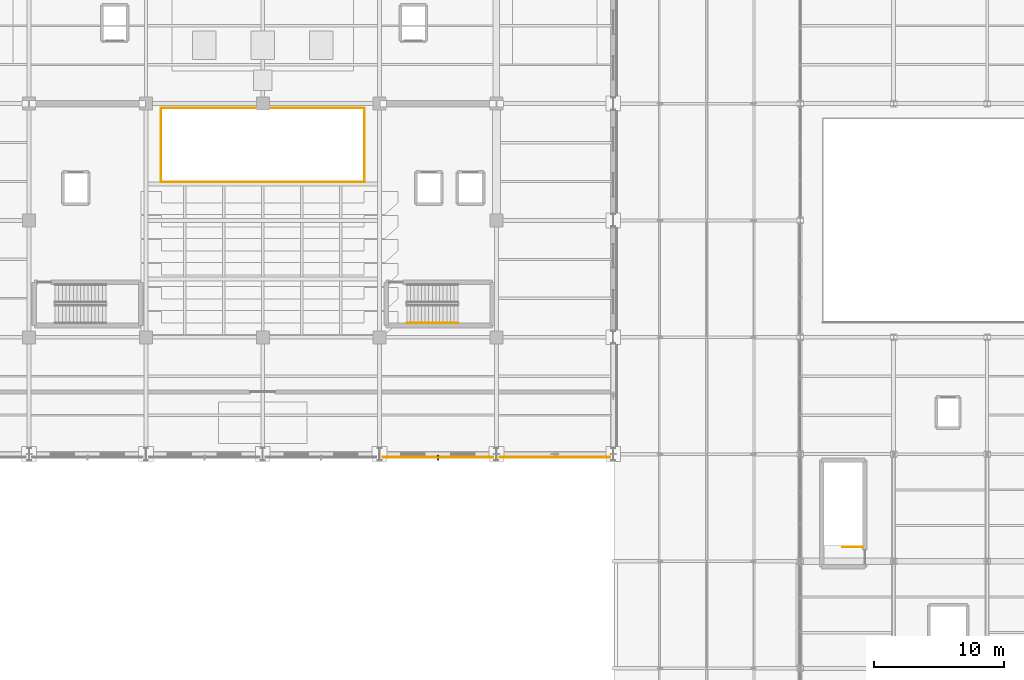
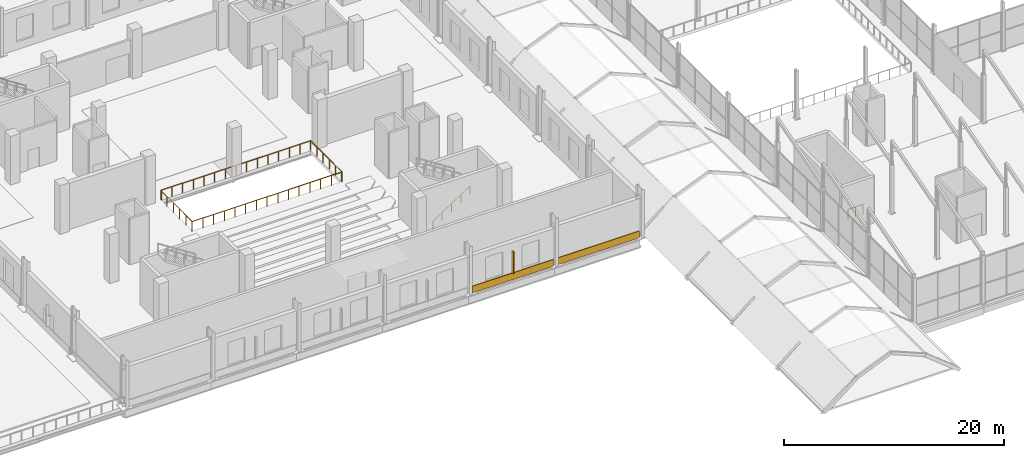
# One storey, part 131 of 141: 4 railings, 2 coverings, 1 shading device.
"""IFC4 building model written with IfcOpenShell, lengths in metres."""

from ifc_helpers import new_model, si_unit, direction, frame, origin, origin_2d, place, context, subcontext, project, spatial, rectangle, circle, extrude, material, layer, layer_set, type_object, element, save


model = new_model("IFC4")

# Units and contexts
model_context = context("Model", 3, precision=1e-05, world=origin(), true_north=direction((0.0, 1.0)))
body_context = subcontext(model_context, "Body", "Model", "MODEL_VIEW")
ifc_project = project(units=[si_unit("LENGTHUNIT", "METRE"), si_unit("AREAUNIT", "SQUARE_METRE"), si_unit("VOLUMEUNIT", "CUBIC_METRE"), si_unit("PLANEANGLEUNIT", "RADIAN"), si_unit("MASSUNIT", "GRAM", prefix="KILO")], contexts=[model_context])

# Site, building, storey
site_placement = place(None, origin())
site = spatial("IfcSite", under=ifc_project, at=site_placement, CompositionType="ELEMENT")
building_placement = place(site_placement, origin())
building = spatial("IfcBuilding", under=site, at=building_placement, Name="Sundgate Opera House", CompositionType="ELEMENT")
storey_placement = place(building_placement, frame((0.0, 0.0, 11.39990234375)))
storey = spatial("IfcBuildingStorey", under=building, at=storey_placement, Name="L02", CompositionType="ELEMENT", Elevation=11.39990234375)

# Coverings
ifc_material_1 = material(Name="Deep-carved Komstad limestone relief panel", Category="masonry")
ifc_layer_1 = layer(ifc_material_1, 0.094970703125)
ifc_layer_set_1 = layer_set([ifc_layer_1], Name="Deep-carved Komstad limestone relief panel")
covering_type_1 = type_object("IfcCoveringType", Name="CV-TRENC-DEEP", PredefinedType="CLADDING", material=ifc_layer_set_1)
covering_1_placement = place(storey_placement, frame((67.5, 32.742431640625, 0.045166015625), z_axis=(0.0, 0.0, 1.0), x_axis=(1.0, 0.0, 0.0)))
element("IfcCovering", 1, at=covering_1_placement, inside=storey, type_object=covering_type_1, Name="L02 Trencadis 750mm Relief Band CV0009", PredefinedType="CLADDING", context=body_context, shape_type="SweptSolid", body=[
    extrude(rectangle(XDim=8.510009765625, YDim=0.074951171875, at=origin_2d()), origin(), (0.0, 0.0, 1.0), 0.75),
])
ifc_material_2 = material(Name="Polychrome trencadis mosaic panel", Category="masonry")
ifc_layer_2 = layer(ifc_material_2, 0.054931640625)
ifc_layer_set_2 = layer_set([ifc_layer_2], Name="Polychrome trencadis mosaic panel")
covering_type_2 = type_object("IfcCoveringType", Name="CV-TRENC-SLIM", PredefinedType="CLADDING", material=ifc_layer_set_2)
covering_2_placement = place(storey_placement, frame((76.5, 32.742431640625, 0.045166015625), z_axis=(0.0, 0.0, 1.0), x_axis=(1.0, 0.0, 0.0)))
element("IfcCovering", 2, at=covering_2_placement, inside=storey, type_object=covering_type_2, Name="L02 Trencadis 750mm Relief Band CV0011", PredefinedType="CLADDING", context=body_context, shape_type="SweptSolid", body=[
    extrude(rectangle(XDim=8.510009765625, YDim=0.074951171875, at=origin_2d()), origin(), (0.0, 0.0, 1.0), 0.75),
])

# Railings
ifc_material_3 = material(Name="Patinated bronze forja metalwork", Category="steel")
railing_type_1 = type_object("IfcRailingType", Name="RL-FORJA-BAL-1100", PredefinedType="BALUSTRADE", material=ifc_material_3)
railing_1_placement = place(storey_placement, frame((46.14990234375, 59.64990234375, 0.0)))
element("IfcRailing", 3, at=railing_1_placement, inside=storey, type_object=railing_type_1, Name="L02 Interior Guardrail RL0292", PredefinedType="BALUSTRADE", context=body_context, shape_type="SweptSolid", body=[
    extrude(circle(Radius=0.02392578125, at=origin_2d()), frame((0.0, 0.0, 1.076171875), z_axis=(0.0, -1.0, 0.0), x_axis=(1.0, 0.0, 0.0)), (0.0, 0.0, 1.0), 5.699951171875),
    extrude(circle(Radius=0.02392578125, at=origin_2d()), frame((0.0, -5.699951171875, 1.076171875), z_axis=(1.0, 0.0, 0.0), x_axis=(0.0, 1.0, 0.0)), (0.0, 0.0, 1.0), 15.7001953125),
    extrude(circle(Radius=0.02099609375, at=origin_2d()), origin(), (0.0, 0.0, 1.0), 1.052001953125),
    extrude(circle(Radius=0.02099609375, at=origin_2d()), frame((0.0, -1.139892578125, 0.0)), (0.0, 0.0, 1.0), 1.052001953125),
    extrude(circle(Radius=0.02099609375, at=origin_2d()), frame((0.0, -2.280029296875, 0.0)), (0.0, 0.0, 1.0), 1.052001953125),
    extrude(circle(Radius=0.02099609375, at=origin_2d()), frame((0.0, -3.419921875, 0.0)), (0.0, 0.0, 1.0), 1.052001953125),
    extrude(circle(Radius=0.02099609375, at=origin_2d()), frame((0.0, -4.56005859375, 0.0)), (0.0, 0.0, 1.0), 1.052001953125),
    extrude(circle(Radius=0.02099609375, at=origin_2d()), frame((0.0, -5.699951171875, 0.0)), (0.0, 0.0, 1.0), 1.052001953125),
    extrude(circle(Radius=0.02099609375, at=origin_2d()), frame((1.121337890625, -5.699951171875, 0.0)), (0.0, 0.0, 1.0), 1.052001953125),
    extrude(circle(Radius=0.02099609375, at=origin_2d()), frame((2.242919921875, -5.699951171875, 0.0)), (0.0, 0.0, 1.0), 1.052001953125),
    extrude(circle(Radius=0.02099609375, at=origin_2d()), frame((3.3642578125, -5.699951171875, 0.0)), (0.0, 0.0, 1.0), 1.052001953125),
    extrude(circle(Radius=0.02099609375, at=origin_2d()), frame((4.48583984375, -5.699951171875, 0.0)), (0.0, 0.0, 1.0), 1.052001953125),
    extrude(circle(Radius=0.02099609375, at=origin_2d()), frame((5.607177734375, -5.699951171875, 0.0)), (0.0, 0.0, 1.0), 1.052001953125),
    extrude(circle(Radius=0.02099609375, at=origin_2d()), frame((6.728759765625, -5.699951171875, 0.0)), (0.0, 0.0, 1.0), 1.052001953125),
    extrude(circle(Radius=0.02099609375, at=origin_2d()), frame((7.85009765625, -5.699951171875, 0.0)), (0.0, 0.0, 1.0), 1.052001953125),
    extrude(circle(Radius=0.02099609375, at=origin_2d()), frame((8.971435546875, -5.699951171875, 0.0)), (0.0, 0.0, 1.0), 1.052001953125),
    extrude(circle(Radius=0.02099609375, at=origin_2d()), frame((10.093017578125, -5.699951171875, 0.0)), (0.0, 0.0, 1.0), 1.052001953125),
    extrude(circle(Radius=0.02099609375, at=origin_2d()), frame((11.21435546875, -5.699951171875, 0.0)), (0.0, 0.0, 1.0), 1.052001953125),
    extrude(circle(Radius=0.02099609375, at=origin_2d()), frame((12.3359375, -5.699951171875, 0.0)), (0.0, 0.0, 1.0), 1.052001953125),
    extrude(circle(Radius=0.02099609375, at=origin_2d()), frame((13.457275390625, -5.699951171875, 0.0)), (0.0, 0.0, 1.0), 1.052001953125),
    extrude(circle(Radius=0.02099609375, at=origin_2d()), frame((14.578857421875, -5.699951171875, 0.0)), (0.0, 0.0, 1.0), 1.052001953125),
    extrude(circle(Radius=0.02099609375, at=origin_2d()), frame((15.7001953125, -5.699951171875, 0.0)), (0.0, 0.0, 1.0), 1.052001953125),
])
railing_2_placement = place(storey_placement, frame((61.85009765625, 54.0, 0.0)))
element("IfcRailing", 4, at=railing_2_placement, inside=storey, type_object=railing_type_1, Name="L02 Interior Guardrail RL0293", PredefinedType="BALUSTRADE", context=body_context, shape_type="SweptSolid", body=[
    extrude(circle(Radius=0.02392578125, at=origin_2d()), frame((0.0, 0.0, 1.076171875), z_axis=(0.0, 1.0, 0.0), x_axis=(-1.0, 0.0, 0.0)), (0.0, 0.0, 1.0), 5.64990234375),
    extrude(circle(Radius=0.02392578125, at=origin_2d()), frame((0.0, 5.64990234375, 1.076171875), z_axis=(-1.0, 0.0, 0.0), x_axis=(0.0, -1.0, 0.0)), (0.0, 0.0, 1.0), 15.650146484375),
    extrude(circle(Radius=0.02099609375, at=origin_2d()), origin(), (0.0, 0.0, 1.0), 1.052001953125),
    extrude(circle(Radius=0.02099609375, at=origin_2d()), frame((0.0, 1.1298828125, 0.0)), (0.0, 0.0, 1.0), 1.052001953125),
    extrude(circle(Radius=0.02099609375, at=origin_2d()), frame((0.0, 2.260009765625, 0.0)), (0.0, 0.0, 1.0), 1.052001953125),
    extrude(circle(Radius=0.02099609375, at=origin_2d()), frame((0.0, 3.389892578125, 0.0)), (0.0, 0.0, 1.0), 1.052001953125),
    extrude(circle(Radius=0.02099609375, at=origin_2d()), frame((0.0, 4.52001953125, 0.0)), (0.0, 0.0, 1.0), 1.052001953125),
    extrude(circle(Radius=0.02099609375, at=origin_2d()), frame((0.0, 5.64990234375, 0.0)), (0.0, 0.0, 1.0), 1.052001953125),
    extrude(circle(Radius=0.02099609375, at=origin_2d()), frame((-1.117919921875, 5.64990234375, 0.0)), (0.0, 0.0, 1.0), 1.052001953125),
    extrude(circle(Radius=0.02099609375, at=origin_2d()), frame((-2.23583984375, 5.64990234375, 0.0)), (0.0, 0.0, 1.0), 1.052001953125),
    extrude(circle(Radius=0.02099609375, at=origin_2d()), frame((-3.353515625, 5.64990234375, 0.0)), (0.0, 0.0, 1.0), 1.052001953125),
    extrude(circle(Radius=0.02099609375, at=origin_2d()), frame((-4.471435546875, 5.64990234375, 0.0)), (0.0, 0.0, 1.0), 1.052001953125),
    extrude(circle(Radius=0.02099609375, at=origin_2d()), frame((-5.58935546875, 5.64990234375, 0.0)), (0.0, 0.0, 1.0), 1.052001953125),
    extrude(circle(Radius=0.02099609375, at=origin_2d()), frame((-6.707275390625, 5.64990234375, 0.0)), (0.0, 0.0, 1.0), 1.052001953125),
    extrude(circle(Radius=0.02099609375, at=origin_2d()), frame((-7.8251953125, 5.64990234375, 0.0)), (0.0, 0.0, 1.0), 1.052001953125),
    extrude(circle(Radius=0.02099609375, at=origin_2d()), frame((-8.94287109375, 5.64990234375, 0.0)), (0.0, 0.0, 1.0), 1.052001953125),
    extrude(circle(Radius=0.02099609375, at=origin_2d()), frame((-10.060791015625, 5.64990234375, 0.0)), (0.0, 0.0, 1.0), 1.052001953125),
    extrude(circle(Radius=0.02099609375, at=origin_2d()), frame((-11.1787109375, 5.64990234375, 0.0)), (0.0, 0.0, 1.0), 1.052001953125),
    extrude(circle(Radius=0.02099609375, at=origin_2d()), frame((-12.296630859375, 5.64990234375, 0.0)), (0.0, 0.0, 1.0), 1.052001953125),
    extrude(circle(Radius=0.02099609375, at=origin_2d()), frame((-13.414306640625, 5.64990234375, 0.0)), (0.0, 0.0, 1.0), 1.052001953125),
    extrude(circle(Radius=0.02099609375, at=origin_2d()), frame((-14.5322265625, 5.64990234375, 0.0)), (0.0, 0.0, 1.0), 1.052001953125),
    extrude(circle(Radius=0.02099609375, at=origin_2d()), frame((-15.650146484375, 5.64990234375, 0.0)), (0.0, 0.0, 1.0), 1.052001953125),
])
ifc_material_4 = material(Name="Painted steel S275 guardrail", Category="steel")
railing_type_2 = type_object("IfcRailingType", Name="RL-STAIR-GUARD-1100", PredefinedType="GUARDRAIL", material=ifc_material_4)
railing_3_placement = place(storey_placement, frame((100.25, 25.85009765625, 0.0)))
element("IfcRailing", 5, at=railing_3_placement, inside=storey, type_object=railing_type_2, Name="ST-07 Top Well Guardrail RL0250", PredefinedType="GUARDRAIL", context=body_context, shape_type="SweptSolid", body=[
    extrude(circle(Radius=0.02392578125, at=origin_2d()), frame((0.0, 0.0, 1.076171875), z_axis=(-1.0, 0.0, 0.0), x_axis=(0.0, -1.0, 0.0)), (0.0, 0.0, 1.0), 1.60009765625),
    extrude(circle(Radius=0.02099609375, at=origin_2d()), origin(), (0.0, 0.0, 1.0), 1.052001953125),
    extrude(circle(Radius=0.02099609375, at=origin_2d()), frame((-0.800048828125, 0.0, 0.0)), (0.0, 0.0, 1.0), 1.052001953125),
    extrude(circle(Radius=0.02099609375, at=origin_2d()), frame((-1.60009765625, 0.0, 0.0)), (0.0, 0.0, 1.0), 1.052001953125),
])
ifc_material_5 = material(Name="Brushed stainless steel handrail", Category="steel")
railing_type_3 = type_object("IfcRailingType", Name="RL-STAIR-HAND-900", PredefinedType="HANDRAIL", material=ifc_material_5)
railing_4_placement = place(storey_placement, frame((65.10009765625, 43.10009765625, 0.18017578125)))
element("IfcRailing", 6, at=railing_4_placement, inside=storey, type_object=railing_type_3, Name="ST03L02 Handrail RL0112", PredefinedType="HANDRAIL", context=body_context, shape_type="SweptSolid", body=[
    extrude(circle(Radius=0.02392578125, at=origin_2d()), frame((0.0, 0.0, 0.8759765625), z_axis=(0.841171666519, 0.0, 0.540768182723), x_axis=(0.0, 1.0, 0.0)), (0.0, 0.0, 1.0), 4.66015625),
    extrude(circle(Radius=0.02099609375, at=origin_2d()), origin(), (0.0, 0.0, 1.0), 0.851806640625),
    extrude(circle(Radius=0.02099609375, at=origin_2d()), frame((0.97998046875, 0.0, 0.6298828125)), (0.0, 0.0, 1.0), 0.851806640625),
    extrude(circle(Radius=0.02099609375, at=origin_2d()), frame((1.9599609375, 0.0, 1.260009765625)), (0.0, 0.0, 1.0), 0.851806640625),
    extrude(circle(Radius=0.02099609375, at=origin_2d()), frame((2.93994140625, 0.0, 1.89013671875)), (0.0, 0.0, 1.0), 0.851806640625),
    extrude(circle(Radius=0.02099609375, at=origin_2d()), frame((3.919921875, 0.0, 2.52001953125)), (0.0, 0.0, 1.0), 0.851806640625),
])

# Shading device
ifc_material_6 = material(Name="Frost-proof vitrified stoneware ceramic fin", Category="masonry")
shading_device_type = type_object("IfcShadingDeviceType", Name="SD-CERAMIC-FIN", PredefinedType="JALOUSIE", material=ifc_material_6)
shading_device_placement = place(storey_placement, frame((67.5, 32.719970703125, 0.800048828125), z_axis=(0.0, 0.0, 1.0), x_axis=(1.0, 0.0, 0.0)))
element("IfcShadingDevice", 7, at=shading_device_placement, inside=storey, type_object=shading_device_type, Name="L02 Ceramic Brise-Soleil Fin SD0004", PredefinedType="JALOUSIE", context=body_context, shape_type="SweptSolid", body=[
    extrude(rectangle(XDim=0.1201171875, YDim=0.35009765625, at=origin_2d()), origin(), (0.0, 0.0, 1.0), 2.39990234375),
])

save(model, "model.ifc")
